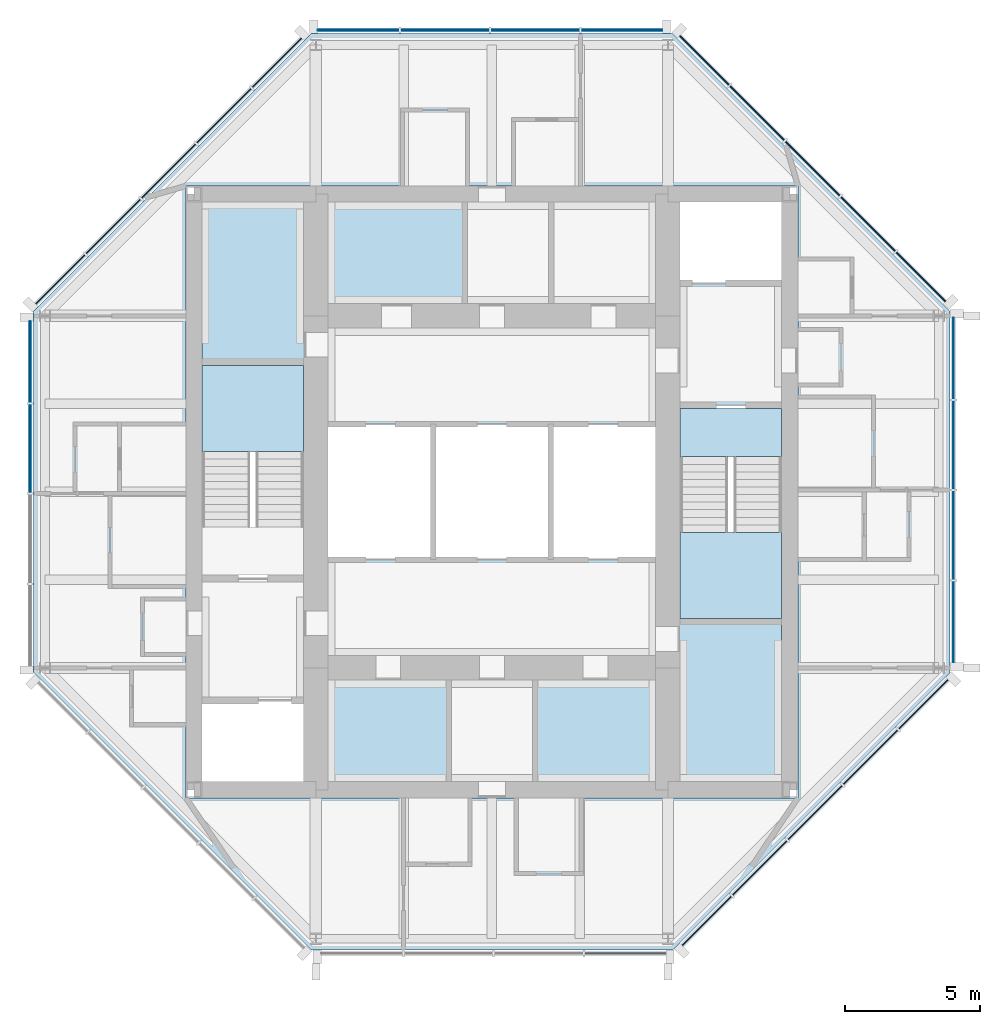
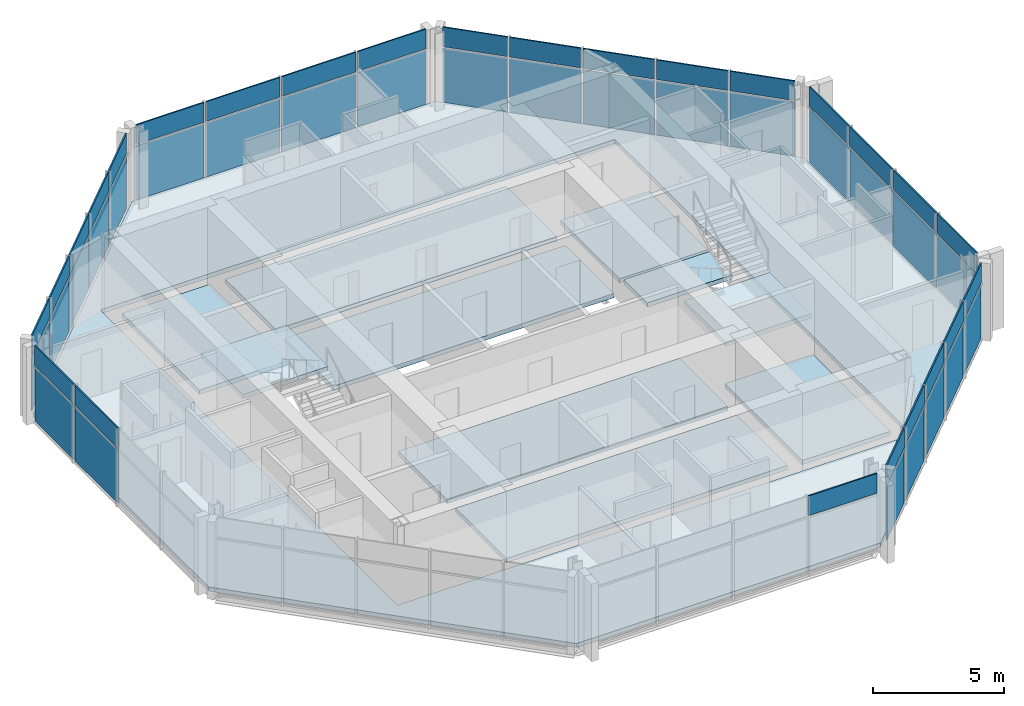
# One storey, part 4 of 9: 51 plates, 11 slabs, 9 elements without a shape of their own.
"""IFC4 building model written with IfcOpenShell, lengths in metres."""

import ifcopenshell
import ifcopenshell.guid

model = None  # the IFC model being written
_history = None  # IfcOwnerHistory: only IFC2X3 demands one
_inside = {}  # id of a spatial element -> (the spatial element, [elements in it])
_under = {}  # id of a project, library or spatial element -> (it, [spatial elements below it])
_declared = {}  # id of a project -> (the project, [libraries it declares])
_typed = {}  # id of a type object -> (the type object, [elements of that type])
_made_of = {}  # id of a material, layer set ... -> (it, [elements and type objects made of it])


def new_model(schema):
    """Start an empty IFC model of exactly this schema.

    Asked for "IFC4X3", IfcOpenShell would pick the latest addendum, in which some entities
    have other attributes; the version numbers below select the first issue.
    IFC2X3 requires an IfcOwnerHistory on every rooted entity: one is made here for all.
    """
    global model, _history
    if schema == "IFC4X3":
        model = ifcopenshell.file(schema_version=(4, 3, 0, 0))
    else:
        model = ifcopenshell.file(schema=schema)
    _inside.clear()
    _under.clear()
    _declared.clear()
    _typed.clear()
    _made_of.clear()
    _history = None
    if model.schema == "IFC2X3":
        org = make("IfcOrganization", Name="unknown")
        user = make(
            "IfcPersonAndOrganization",
            ThePerson=make("IfcPerson", FamilyName="unknown"),
            TheOrganization=org,
        )
        app = make(
            "IfcApplication",
            ApplicationDeveloper=org,
            Version="unknown",
            ApplicationFullName="unknown",
            ApplicationIdentifier="unknown",
        )
        _history = make(
            "IfcOwnerHistory",
            OwningUser=user,
            OwningApplication=app,
            ChangeAction="ADDED",
            CreationDate=0,
        )
    return model


def make(cls, **values):
    """One entity of the class cls with the attributes given. An attribute that is None is left unset."""
    return model.create_entity(
        cls, **{name: value for name, value in values.items() if value is not None}
    )


def rooted(cls, **values):
    """An entity with a GlobalId (a new one), such as an element, a storey or a relation."""
    return make(cls, GlobalId=ifcopenshell.guid.new(), OwnerHistory=_history, **values)


def si_unit(unit_type, name, prefix=None):
    """IfcSIUnit, for example si_unit("LENGTHUNIT", "METRE", prefix="MILLI")."""
    return make("IfcSIUnit", UnitType=unit_type, Prefix=prefix, Name=name)


def assignment(units):
    """IfcUnitAssignment: the units of a project."""
    return None if units is None else make("IfcUnitAssignment", Units=units)


def point(xyz):
    """IfcCartesianPoint."""
    return None if xyz is None else make("IfcCartesianPoint", Coordinates=xyz)


def direction(xyz):
    """IfcDirection."""
    return None if xyz is None else make("IfcDirection", DirectionRatios=xyz)


def frame(location, z_axis=None, x_axis=None):
    """IfcAxis2Placement3D, a coordinate frame: its origin and axes. An axis left out is left unset."""
    return make(
        "IfcAxis2Placement3D",
        Location=point(location),
        Axis=direction(z_axis),
        RefDirection=direction(x_axis),
    )


def frame_2d(location, x_axis=None):
    """IfcAxis2Placement2D, a coordinate frame in the plane: its origin and x axis."""
    return make(
        "IfcAxis2Placement2D", Location=point(location), RefDirection=direction(x_axis)
    )


def origin():
    """The frame at (0, 0, 0) with its axes left unset."""
    return frame((0.0, 0.0, 0.0))


def origin_2d():
    """The frame at (0, 0) in the plane with its x axis left unset."""
    return frame_2d((0.0, 0.0))


def place(relative_to, where):
    """IfcLocalPlacement: puts the frame where relative to a parent placement (None: the world)."""
    return make(
        "IfcLocalPlacement", PlacementRelTo=relative_to, RelativePlacement=where
    )


def context(
    kind, dimensions, precision=None, world=None, true_north=None, identifier=None
):
    """IfcGeometricRepresentationContext, for example the 3D "Model" context."""
    return make(
        "IfcGeometricRepresentationContext",
        ContextIdentifier=identifier,
        ContextType=kind,
        CoordinateSpaceDimension=dimensions,
        Precision=precision,
        WorldCoordinateSystem=world,
        TrueNorth=true_north,
    )


def subcontext(parent, identifier, kind, view, scale=None):
    """IfcGeometricRepresentationSubContext, for example "Body" below "Model"."""
    return make(
        "IfcGeometricRepresentationSubContext",
        ContextIdentifier=identifier,
        ContextType=kind,
        ParentContext=parent,
        TargetScale=scale,
        TargetView=view,
    )


def project(units=None, contexts=None):
    """IfcProject with its units and contexts."""
    return rooted(
        "IfcProject",
        Name="project",
        RepresentationContexts=contexts,
        UnitsInContext=assignment(units),
    )


def spatial(cls, under=None, at=None, **own):
    """A site, building, storey or space (cls), placed at a placement, below another one or the project."""
    s = rooted(cls, ObjectPlacement=at, **own)
    if under is not None:
        _under.setdefault(under.id(), (under, []))[1].append(s)
    return s


def polyline(points):
    """IfcPolyline through the points."""
    return make("IfcPolyline", Points=[point(p) for p in points])


def profile(cls, at=None, kind="AREA", **sizes):
    """A parametric profile (cls). Its sizes go by their IFC names, for example OverallWidth=200.0."""
    return make(cls, ProfileType=kind, Position=at, **sizes)


def rectangle(**sizes):
    """IfcRectangleProfileDef."""
    return profile("IfcRectangleProfileDef", **sizes)


def outline(outer, holes=None, kind="AREA"):
    """IfcArbitraryClosedProfileDef: a profile drawn as a closed curve; with holes, ...WithVoids."""
    if holes is None:
        return make("IfcArbitraryClosedProfileDef", ProfileType=kind, OuterCurve=outer)
    return make(
        "IfcArbitraryProfileDefWithVoids",
        ProfileType=kind,
        OuterCurve=outer,
        InnerCurves=holes,
    )


def extrude(swept, where, along, depth):
    """IfcExtrudedAreaSolid: the profile swept, set in the frame where, extruded along a direction by depth."""
    return make(
        "IfcExtrudedAreaSolid",
        SweptArea=swept,
        Position=where,
        ExtrudedDirection=direction(along),
        Depth=depth,
    )


def shape(context_of_items, identifier, shape_type, items):
    """IfcShapeRepresentation: the items that make up one representation, for example the "Body"."""
    return make(
        "IfcShapeRepresentation",
        ContextOfItems=context_of_items,
        RepresentationIdentifier=identifier,
        RepresentationType=shape_type,
        Items=items,
    )


def material(Name=None, Category=None):
    """IfcMaterial."""
    return make("IfcMaterial", Name=Name, Category=Category)


def layer(
    of_material, thickness, ventilated=None, Name=None, Category=None, Priority=None
):
    """IfcMaterialLayer: one layer of a wall or slab, of a material (None: an air gap)."""
    return make(
        "IfcMaterialLayer",
        Material=of_material,
        LayerThickness=thickness,
        IsVentilated=ventilated,
        Name=Name,
        Category=Category,
        Priority=Priority,
    )


def layer_set(layers, Name=None):
    """IfcMaterialLayerSet."""
    return make("IfcMaterialLayerSet", MaterialLayers=layers, LayerSetName=Name)


def made_of(thing, what):
    """Note that an element or type object is made of a material, layer set ...; save() writes the relation."""
    if what is not None:
        _made_of.setdefault(what.id(), (what, []))[1].append(thing)
    return thing


def type_object(cls, material=None, **own):
    """A type object (cls), such as IfcWallType, which elements share."""
    return made_of(rooted(cls, **own), material)


def element(
    cls,
    number,
    at=None,
    inside=None,
    cuts=None,
    type_object=None,
    material=None,
    context=None,
    identifier="Body",
    shape_type=None,
    held_by="IfcProductDefinitionShape",
    body=None,
    shapes=None,
    **own,
):
    """One element of the class cls, such as IfcWall. Its Tag is "e" and its number.

    at: its placement. inside: the storey or other place that contains it. cuts: it is an
    opening in that element (IfcRelVoidsElement). A single representation is given by context,
    identifier, shape_type and body (its items); several are given by shapes. held_by: the class
    of the entity that holds the representations. save() writes the other relations.
    """
    e = rooted(cls, Tag="e%d" % number, ObjectPlacement=at, **own)
    if body is not None:
        shapes = [shape(context, identifier, shape_type, body)]
    if shapes is not None:
        e.Representation = make(held_by, Representations=shapes)
    if inside is not None:
        _inside.setdefault(inside.id(), (inside, []))[1].append(e)
    if cuts is not None:
        rooted(
            "IfcRelVoidsElement", RelatingBuildingElement=cuts, RelatedOpeningElement=e
        )
    if type_object is not None:
        _typed.setdefault(type_object.id(), (type_object, []))[1].append(e)
    return made_of(e, material)


def aggregate(whole, parts):
    """IfcRelAggregates: a whole, such as a stair, and the parts it consists of."""
    return rooted("IfcRelAggregates", RelatingObject=whole, RelatedObjects=parts)


def save(model, path):
    """Write the relations noted so far, then the file.

    IfcRelAggregates (storeys below a building ...), IfcRelContainedInSpatialStructure (elements
    in a storey), IfcRelDefinesByType, IfcRelAssociatesMaterial and IfcRelDeclares: one each for
    every whole, place, type object, material and project.
    """
    for whole, parts in _under.values():
        aggregate(whole, parts)
    for where, things in _inside.values():
        rooted(
            "IfcRelContainedInSpatialStructure",
            RelatedElements=things,
            RelatingStructure=where,
        )
    for kind, things in _typed.values():
        rooted("IfcRelDefinesByType", RelatedObjects=things, RelatingType=kind)
    for what, things in _made_of.values():
        rooted("IfcRelAssociatesMaterial", RelatedObjects=things, RelatingMaterial=what)
    for by, libraries in _declared.values():
        rooted("IfcRelDeclares", RelatingContext=by, RelatedDefinitions=libraries)
    model.write(path)


model = new_model("IFC4")

# Units and contexts
model_context = context("Model", 3, precision=1e-05, world=origin(), true_north=direction((0.0, 1.0)))
body_context = subcontext(model_context, "Body", "Model", "MODEL_VIEW")
ifc_project = project(units=[si_unit("LENGTHUNIT", "METRE"), si_unit("AREAUNIT", "SQUARE_METRE"), si_unit("VOLUMEUNIT", "CUBIC_METRE"), si_unit("PLANEANGLEUNIT", "RADIAN"), si_unit("MASSUNIT", "GRAM", prefix="KILO")], contexts=[model_context])

# Site, building, storey
site_placement = place(None, origin())
site = spatial("IfcSite", under=ifc_project, at=site_placement, CompositionType="ELEMENT")
building_placement = place(site_placement, origin())
building = spatial("IfcBuilding", under=site, at=building_placement, Name="Trevanion Tower", CompositionType="ELEMENT")
storey_placement = place(building_placement, frame((0.0, 0.0, 281.199951171875)))
storey = spatial("IfcBuildingStorey", under=building, at=storey_placement, Name="L69", CompositionType="ELEMENT", Elevation=281.199951171875)

# Curtain wall, plates
ifc_material_1 = material(Name="Aluminium and glass", Category="aluminium")
curtain_wall_type = type_object("IfcCurtainWallType", Name="CW4 curtain wall", PredefinedType="USERDEFINED", material=ifc_material_1)
curtain_wall_1_placement = place(storey_placement, origin())
curtain_wall_1 = element("IfcCurtainWall", 1, at=curtain_wall_1_placement, inside=storey, type_object=curtain_wall_type, Name="CW4 L69 0", ObjectType="UNITISED CURTAIN WALL", PredefinedType="USERDEFINED")
ifc_material_2 = material(Name="Aluminium spandrel panel", Category="aluminium")
ifc_layer_1 = layer(ifc_material_2, 0.06005859375)
ifc_layer_set_1 = layer_set([ifc_layer_1], Name="CW4 spandrel panel")
plate_type_1 = type_object("IfcPlateType", Name="CW4 spandrel panel", PredefinedType="CURTAIN_PANEL", material=ifc_layer_set_1)
plate_1_placement = place(storey_placement, frame((17.050048828125, -4.80078125, 2.49755859375), z_axis=(0.0, 0.0, 1.0), x_axis=(0.0, 1.0, 0.0)))
plate_1 = element("IfcPlate", 2, at=plate_1_placement, type_object=plate_type_1, Name="CW4 panel 1.2", PredefinedType="CURTAIN_PANEL", context=body_context, shape_type="SweptSolid", body=[
    extrude(rectangle(XDim=2.993896484375, YDim=0.06005859375, at=origin_2d()), origin(), (0.0, 0.0, 1.0), 0.91259765625),
])
plate_2_placement = place(storey_placement, frame((17.050048828125, -1.6005859375, 2.49755859375), z_axis=(0.0, 0.0, 1.0), x_axis=(0.0, 1.0, 0.0)))
plate_2 = element("IfcPlate", 3, at=plate_2_placement, type_object=plate_type_1, Name="CW4 panel 2.2", PredefinedType="CURTAIN_PANEL", context=body_context, shape_type="SweptSolid", body=[
    extrude(rectangle(XDim=3.25634765625, YDim=0.06005859375, at=origin_2d()), origin(), (0.0, 0.0, 1.0), 0.91259765625),
])
plate_3_placement = place(storey_placement, frame((17.050048828125, 1.730712890625, 2.49755859375), z_axis=(0.0, 0.0, 1.0), x_axis=(0.0, 1.0, 0.0)))
plate_3 = element("IfcPlate", 4, at=plate_3_placement, type_object=plate_type_1, Name="CW4 panel 3.2", PredefinedType="CURTAIN_PANEL", context=body_context, shape_type="SweptSolid", body=[
    extrude(rectangle(XDim=3.25634765625, YDim=0.06005859375, at=origin_2d()), origin(), (0.0, 0.0, 1.0), 0.91259765625),
])
plate_4_placement = place(storey_placement, frame((17.050048828125, 4.930908203125, 2.49755859375), z_axis=(0.0, 0.0, 1.0), x_axis=(0.0, 1.0, 0.0)))
plate_4 = element("IfcPlate", 5, at=plate_4_placement, type_object=plate_type_1, Name="CW4 panel 4.2", PredefinedType="CURTAIN_PANEL", context=body_context, shape_type="SweptSolid", body=[
    extrude(rectangle(XDim=2.993896484375, YDim=0.06005859375, at=origin_2d()), origin(), (0.0, 0.0, 1.0), 0.91259765625),
])

curtain_wall_2_placement = place(storey_placement, origin())
curtain_wall_2 = element("IfcCurtainWall", 6, at=curtain_wall_2_placement, inside=storey, type_object=curtain_wall_type, Name="CW4 L69 1", ObjectType="UNITISED CURTAIN WALL", PredefinedType="USERDEFINED")
plate_5_placement = place(storey_placement, frame((15.84228515625, 7.935546875, 2.49755859375), z_axis=(0.0, 0.0, 1.0), x_axis=(-0.707106781187, 0.707106781187, 0.0)))
plate_5 = element("IfcPlate", 7, at=plate_5_placement, type_object=plate_type_1, Name="CW4 panel 1.2", PredefinedType="CURTAIN_PANEL", context=body_context, shape_type="SweptSolid", body=[
    extrude(rectangle(XDim=2.55615234375, YDim=0.06005859375, at=origin_2d()), origin(), (0.0, 0.0, 1.0), 0.91259765625),
])
plate_6_placement = place(storey_placement, frame((13.888916015625, 9.888916015625, 2.49755859375), z_axis=(0.0, 0.0, 1.0), x_axis=(-0.707106781187, 0.707106781187, 0.0)))
plate_6 = element("IfcPlate", 8, at=plate_6_placement, type_object=plate_type_1, Name="CW4 panel 2.2", PredefinedType="CURTAIN_PANEL", context=body_context, shape_type="SweptSolid", body=[
    extrude(rectangle(XDim=2.818603515625, YDim=0.06005859375, at=origin_2d()), origin(), (0.0, 0.0, 1.0), 0.91259765625),
])
plate_7_placement = place(storey_placement, frame((11.843017578125, 11.934814453125, 2.49755859375), z_axis=(0.0, 0.0, 1.0), x_axis=(-0.707106781187, 0.707106781187, 0.0)))
plate_7 = element("IfcPlate", 9, at=plate_7_placement, type_object=plate_type_1, Name="CW4 panel 3.2", PredefinedType="CURTAIN_PANEL", context=body_context, shape_type="SweptSolid", body=[
    extrude(rectangle(XDim=2.818603515625, YDim=0.06005859375, at=origin_2d()), origin(), (0.0, 0.0, 1.0), 0.91259765625),
])
plate_8_placement = place(storey_placement, frame((9.796875, 13.98095703125, 2.49755859375), z_axis=(0.0, 0.0, 1.0), x_axis=(-0.707106781187, 0.707106781187, 0.0)))
plate_8 = element("IfcPlate", 10, at=plate_8_placement, type_object=plate_type_1, Name="CW4 panel 4.2", PredefinedType="CURTAIN_PANEL", context=body_context, shape_type="SweptSolid", body=[
    extrude(rectangle(XDim=2.818603515625, YDim=0.06005859375, at=origin_2d()), origin(), (0.0, 0.0, 1.0), 0.91259765625),
])
plate_9_placement = place(storey_placement, frame((7.84375, 15.93408203125, 2.49755859375), z_axis=(0.0, 0.0, 1.0), x_axis=(-0.707106781187, 0.707106781187, 0.0)))
plate_9 = element("IfcPlate", 11, at=plate_9_placement, type_object=plate_type_1, Name="CW4 panel 5.2", PredefinedType="CURTAIN_PANEL", context=body_context, shape_type="SweptSolid", body=[
    extrude(rectangle(XDim=2.55615234375, YDim=0.06005859375, at=origin_2d()), origin(), (0.0, 0.0, 1.0), 0.91259765625),
])

curtain_wall_3_placement = place(storey_placement, origin())
curtain_wall_3 = element("IfcCurtainWall", 12, at=curtain_wall_3_placement, inside=storey, type_object=curtain_wall_type, Name="CW4 L69 2", ObjectType="UNITISED CURTAIN WALL", PredefinedType="USERDEFINED")
plate_10_placement = place(storey_placement, frame((4.80078125, 17.050048828125, 2.49755859375), z_axis=(0.0, 0.0, 1.0), x_axis=(-1.0, 0.0, 0.0)))
plate_10 = element("IfcPlate", 13, at=plate_10_placement, type_object=plate_type_1, Name="CW4 panel 1.2", PredefinedType="CURTAIN_PANEL", context=body_context, shape_type="SweptSolid", body=[
    extrude(rectangle(XDim=2.993896484375, YDim=0.06005859375, at=origin_2d()), origin(), (0.0, 0.0, 1.0), 0.91259765625),
])
plate_11_placement = place(storey_placement, frame((1.6005859375, 17.050048828125, 2.49755859375), z_axis=(0.0, 0.0, 1.0), x_axis=(-1.0, 0.0, 0.0)))
plate_11 = element("IfcPlate", 14, at=plate_11_placement, type_object=plate_type_1, Name="CW4 panel 2.2", PredefinedType="CURTAIN_PANEL", context=body_context, shape_type="SweptSolid", body=[
    extrude(rectangle(XDim=3.25634765625, YDim=0.06005859375, at=origin_2d()), origin(), (0.0, 0.0, 1.0), 0.91259765625),
])
plate_12_placement = place(storey_placement, frame((-1.730712890625, 17.050048828125, 2.49755859375), z_axis=(0.0, 0.0, 1.0), x_axis=(-1.0, 0.0, 0.0)))
plate_12 = element("IfcPlate", 15, at=plate_12_placement, type_object=plate_type_1, Name="CW4 panel 3.2", PredefinedType="CURTAIN_PANEL", context=body_context, shape_type="SweptSolid", body=[
    extrude(rectangle(XDim=3.25634765625, YDim=0.06005859375, at=origin_2d()), origin(), (0.0, 0.0, 1.0), 0.91259765625),
])
plate_13_placement = place(storey_placement, frame((-4.930908203125, 17.050048828125, 2.49755859375), z_axis=(0.0, 0.0, 1.0), x_axis=(-1.0, 0.0, 0.0)))
plate_13 = element("IfcPlate", 16, at=plate_13_placement, type_object=plate_type_1, Name="CW4 panel 4.2", PredefinedType="CURTAIN_PANEL", context=body_context, shape_type="SweptSolid", body=[
    extrude(rectangle(XDim=2.993896484375, YDim=0.06005859375, at=origin_2d()), origin(), (0.0, 0.0, 1.0), 0.91259765625),
])

curtain_wall_4_placement = place(storey_placement, origin())
curtain_wall_4 = element("IfcCurtainWall", 17, at=curtain_wall_4_placement, inside=storey, type_object=curtain_wall_type, Name="CW4 L69 3", ObjectType="UNITISED CURTAIN WALL", PredefinedType="USERDEFINED")
plate_14_placement = place(storey_placement, frame((-7.935546875, 15.84228515625, 2.49755859375), z_axis=(0.0, 0.0, 1.0), x_axis=(-0.707106781187, -0.707106781187, 0.0)))
plate_14 = element("IfcPlate", 18, at=plate_14_placement, type_object=plate_type_1, Name="CW4 panel 1.2", PredefinedType="CURTAIN_PANEL", context=body_context, shape_type="SweptSolid", body=[
    extrude(rectangle(XDim=2.55615234375, YDim=0.06005859375, at=origin_2d()), origin(), (0.0, 0.0, 1.0), 0.91259765625),
])
plate_15_placement = place(storey_placement, frame((-9.888916015625, 13.888916015625, 2.49755859375), z_axis=(0.0, 0.0, 1.0), x_axis=(-0.707106781187, -0.707106781187, 0.0)))
plate_15 = element("IfcPlate", 19, at=plate_15_placement, type_object=plate_type_1, Name="CW4 panel 2.2", PredefinedType="CURTAIN_PANEL", context=body_context, shape_type="SweptSolid", body=[
    extrude(rectangle(XDim=2.818603515625, YDim=0.06005859375, at=origin_2d()), origin(), (0.0, 0.0, 1.0), 0.91259765625),
])
plate_16_placement = place(storey_placement, frame((-11.934814453125, 11.843017578125, 2.49755859375), z_axis=(0.0, 0.0, 1.0), x_axis=(-0.707106781187, -0.707106781187, 0.0)))
plate_16 = element("IfcPlate", 20, at=plate_16_placement, type_object=plate_type_1, Name="CW4 panel 3.2", PredefinedType="CURTAIN_PANEL", context=body_context, shape_type="SweptSolid", body=[
    extrude(rectangle(XDim=2.818603515625, YDim=0.06005859375, at=origin_2d()), origin(), (0.0, 0.0, 1.0), 0.91259765625),
])
plate_17_placement = place(storey_placement, frame((-13.98095703125, 9.796875, 2.49755859375), z_axis=(0.0, 0.0, 1.0), x_axis=(-0.707106781187, -0.707106781187, 0.0)))
plate_17 = element("IfcPlate", 21, at=plate_17_placement, type_object=plate_type_1, Name="CW4 panel 4.2", PredefinedType="CURTAIN_PANEL", context=body_context, shape_type="SweptSolid", body=[
    extrude(rectangle(XDim=2.818603515625, YDim=0.06005859375, at=origin_2d()), origin(), (0.0, 0.0, 1.0), 0.91259765625),
])
plate_18_placement = place(storey_placement, frame((-15.93408203125, 7.84375, 2.49755859375), z_axis=(0.0, 0.0, 1.0), x_axis=(-0.707106781187, -0.707106781187, 0.0)))
plate_18 = element("IfcPlate", 22, at=plate_18_placement, type_object=plate_type_1, Name="CW4 panel 5.2", PredefinedType="CURTAIN_PANEL", context=body_context, shape_type="SweptSolid", body=[
    extrude(rectangle(XDim=2.55615234375, YDim=0.06005859375, at=origin_2d()), origin(), (0.0, 0.0, 1.0), 0.91259765625),
])

curtain_wall_5_placement = place(storey_placement, origin())
curtain_wall_5 = element("IfcCurtainWall", 23, at=curtain_wall_5_placement, inside=storey, type_object=curtain_wall_type, Name="CW4 L69 4", ObjectType="UNITISED CURTAIN WALL", PredefinedType="USERDEFINED")
plate_19_placement = place(storey_placement, frame((-17.050048828125, 4.80078125, 2.49755859375), z_axis=(0.0, 0.0, 1.0), x_axis=(0.0, -1.0, 0.0)))
plate_19 = element("IfcPlate", 24, at=plate_19_placement, type_object=plate_type_1, Name="CW4 panel 1.2", PredefinedType="CURTAIN_PANEL", context=body_context, shape_type="SweptSolid", body=[
    extrude(rectangle(XDim=2.993896484375, YDim=0.06005859375, at=origin_2d()), origin(), (0.0, 0.0, 1.0), 0.91259765625),
])
plate_20_placement = place(storey_placement, frame((-17.050048828125, 1.6005859375, 2.49755859375), z_axis=(0.0, 0.0, 1.0), x_axis=(0.0, -1.0, 0.0)))
plate_20 = element("IfcPlate", 25, at=plate_20_placement, type_object=plate_type_1, Name="CW4 panel 2.2", PredefinedType="CURTAIN_PANEL", context=body_context, shape_type="SweptSolid", body=[
    extrude(rectangle(XDim=3.25634765625, YDim=0.06005859375, at=origin_2d()), origin(), (0.0, 0.0, 1.0), 0.91259765625),
])

# Curtain wall, plate
curtain_wall_6_placement = place(storey_placement, origin())
curtain_wall_6 = element("IfcCurtainWall", 26, at=curtain_wall_6_placement, inside=storey, type_object=curtain_wall_type, Name="CW4 L69 6", ObjectType="UNITISED CURTAIN WALL", PredefinedType="USERDEFINED")
plate_21_placement = place(storey_placement, frame((4.930908203125, -17.050048828125, 2.49755859375), z_axis=(0.0, 0.0, 1.0), x_axis=(1.0, 0.0, 0.0)))
plate_21 = element("IfcPlate", 27, at=plate_21_placement, type_object=plate_type_1, Name="CW4 panel 4.2", PredefinedType="CURTAIN_PANEL", context=body_context, shape_type="SweptSolid", body=[
    extrude(rectangle(XDim=2.993896484375, YDim=0.06005859375, at=origin_2d()), origin(), (0.0, 0.0, 1.0), 0.91259765625),
])
aggregate(curtain_wall_6, [plate_21])

# Curtain wall, plates
curtain_wall_7_placement = place(storey_placement, origin())
curtain_wall_7 = element("IfcCurtainWall", 28, at=curtain_wall_7_placement, inside=storey, type_object=curtain_wall_type, Name="CW4 L69 7", ObjectType="UNITISED CURTAIN WALL", PredefinedType="USERDEFINED")
plate_22_placement = place(storey_placement, frame((7.935546875, -15.84228515625, 2.49755859375), z_axis=(0.0, 0.0, 1.0), x_axis=(0.707106781187, 0.707106781187, 0.0)))
plate_22 = element("IfcPlate", 29, at=plate_22_placement, type_object=plate_type_1, Name="CW4 panel 1.2", PredefinedType="CURTAIN_PANEL", context=body_context, shape_type="SweptSolid", body=[
    extrude(rectangle(XDim=2.55615234375, YDim=0.06005859375, at=origin_2d()), origin(), (0.0, 0.0, 1.0), 0.91259765625),
])
plate_23_placement = place(storey_placement, frame((9.888916015625, -13.888916015625, 2.49755859375), z_axis=(0.0, 0.0, 1.0), x_axis=(0.707106781187, 0.707106781187, 0.0)))
plate_23 = element("IfcPlate", 30, at=plate_23_placement, type_object=plate_type_1, Name="CW4 panel 2.2", PredefinedType="CURTAIN_PANEL", context=body_context, shape_type="SweptSolid", body=[
    extrude(rectangle(XDim=2.818603515625, YDim=0.06005859375, at=origin_2d()), origin(), (0.0, 0.0, 1.0), 0.91259765625),
])
plate_24_placement = place(storey_placement, frame((11.934814453125, -11.843017578125, 2.49755859375), z_axis=(0.0, 0.0, 1.0), x_axis=(0.707106781187, 0.707106781187, 0.0)))
plate_24 = element("IfcPlate", 31, at=plate_24_placement, type_object=plate_type_1, Name="CW4 panel 3.2", PredefinedType="CURTAIN_PANEL", context=body_context, shape_type="SweptSolid", body=[
    extrude(rectangle(XDim=2.818603515625, YDim=0.06005859375, at=origin_2d()), origin(), (0.0, 0.0, 1.0), 0.91259765625),
])
plate_25_placement = place(storey_placement, frame((13.98095703125, -9.796875, 2.49755859375), z_axis=(0.0, 0.0, 1.0), x_axis=(0.707106781187, 0.707106781187, 0.0)))
plate_25 = element("IfcPlate", 32, at=plate_25_placement, type_object=plate_type_1, Name="CW4 panel 4.2", PredefinedType="CURTAIN_PANEL", context=body_context, shape_type="SweptSolid", body=[
    extrude(rectangle(XDim=2.818603515625, YDim=0.06005859375, at=origin_2d()), origin(), (0.0, 0.0, 1.0), 0.91259765625),
])
plate_26_placement = place(storey_placement, frame((15.93408203125, -7.84375, 2.49755859375), z_axis=(0.0, 0.0, 1.0), x_axis=(0.707106781187, 0.707106781187, 0.0)))
plate_26 = element("IfcPlate", 33, at=plate_26_placement, type_object=plate_type_1, Name="CW4 panel 5.2", PredefinedType="CURTAIN_PANEL", context=body_context, shape_type="SweptSolid", body=[
    extrude(rectangle(XDim=2.55615234375, YDim=0.06005859375, at=origin_2d()), origin(), (0.0, 0.0, 1.0), 0.91259765625),
])

# Plate
ifc_material_3 = material(Name="Insulating glass unit", Category="glass")
ifc_layer_2 = layer(ifc_material_3, 0.028076171875)
ifc_layer_set_2 = layer_set([ifc_layer_2], Name="CW4 vision panel")
plate_type_2 = type_object("IfcPlateType", Name="CW4 vision panel", PredefinedType="CURTAIN_PANEL", material=ifc_layer_set_2)
plate_27_placement = place(storey_placement, frame((17.050048828125, -4.80078125, -0.114990234375), z_axis=(0.0, 0.0, 1.0), x_axis=(0.0, 1.0, 0.0)))
plate_27 = element("IfcPlate", 34, at=plate_27_placement, type_object=plate_type_2, Name="CW4 panel 1.1", PredefinedType="CURTAIN_PANEL", context=body_context, shape_type="SweptSolid", body=[
    extrude(rectangle(XDim=2.993896484375, YDim=0.028076171875, at=origin_2d()), origin(), (0.0, 0.0, 1.0), 2.53759765625),
])

plate_28_placement = place(storey_placement, frame((17.050048828125, -1.6005859375, -0.114990234375), z_axis=(0.0, 0.0, 1.0), x_axis=(0.0, 1.0, 0.0)))
plate_28 = element("IfcPlate", 35, at=plate_28_placement, type_object=plate_type_2, Name="CW4 panel 2.1", PredefinedType="CURTAIN_PANEL", context=body_context, shape_type="SweptSolid", body=[
    extrude(rectangle(XDim=3.25634765625, YDim=0.028076171875, at=origin_2d()), origin(), (0.0, 0.0, 1.0), 2.53759765625),
])

plate_29_placement = place(storey_placement, frame((17.050048828125, 1.730712890625, -0.114990234375), z_axis=(0.0, 0.0, 1.0), x_axis=(0.0, 1.0, 0.0)))
plate_29 = element("IfcPlate", 36, at=plate_29_placement, type_object=plate_type_2, Name="CW4 panel 3.1", PredefinedType="CURTAIN_PANEL", context=body_context, shape_type="SweptSolid", body=[
    extrude(rectangle(XDim=3.25634765625, YDim=0.028076171875, at=origin_2d()), origin(), (0.0, 0.0, 1.0), 2.53759765625),
])

plate_30_placement = place(storey_placement, frame((17.050048828125, 4.930908203125, -0.114990234375), z_axis=(0.0, 0.0, 1.0), x_axis=(0.0, 1.0, 0.0)))
plate_30 = element("IfcPlate", 37, at=plate_30_placement, type_object=plate_type_2, Name="CW4 panel 4.1", PredefinedType="CURTAIN_PANEL", context=body_context, shape_type="SweptSolid", body=[
    extrude(rectangle(XDim=2.993896484375, YDim=0.028076171875, at=origin_2d()), origin(), (0.0, 0.0, 1.0), 2.53759765625),
])

aggregate(curtain_wall_1, [plate_27, plate_1, plate_28, plate_2, plate_29, plate_3, plate_30, plate_4])

plate_31_placement = place(storey_placement, frame((15.84228515625, 7.935546875, -0.114990234375), z_axis=(0.0, 0.0, 1.0), x_axis=(-0.707106781187, 0.707106781187, 0.0)))
plate_31 = element("IfcPlate", 38, at=plate_31_placement, type_object=plate_type_2, Name="CW4 panel 1.1", PredefinedType="CURTAIN_PANEL", context=body_context, shape_type="SweptSolid", body=[
    extrude(rectangle(XDim=2.55615234375, YDim=0.028076171875, at=origin_2d()), origin(), (0.0, 0.0, 1.0), 2.53759765625),
])

plate_32_placement = place(storey_placement, frame((13.888916015625, 9.888916015625, -0.114990234375), z_axis=(0.0, 0.0, 1.0), x_axis=(-0.707106781187, 0.707106781187, 0.0)))
plate_32 = element("IfcPlate", 39, at=plate_32_placement, type_object=plate_type_2, Name="CW4 panel 2.1", PredefinedType="CURTAIN_PANEL", context=body_context, shape_type="SweptSolid", body=[
    extrude(rectangle(XDim=2.818603515625, YDim=0.028076171875, at=origin_2d()), origin(), (0.0, 0.0, 1.0), 2.53759765625),
])

plate_33_placement = place(storey_placement, frame((11.843017578125, 11.934814453125, -0.114990234375), z_axis=(0.0, 0.0, 1.0), x_axis=(-0.707106781187, 0.707106781187, 0.0)))
plate_33 = element("IfcPlate", 40, at=plate_33_placement, type_object=plate_type_2, Name="CW4 panel 3.1", PredefinedType="CURTAIN_PANEL", context=body_context, shape_type="SweptSolid", body=[
    extrude(rectangle(XDim=2.818603515625, YDim=0.028076171875, at=origin_2d()), origin(), (0.0, 0.0, 1.0), 2.53759765625),
])

plate_34_placement = place(storey_placement, frame((9.796875, 13.98095703125, -0.114990234375), z_axis=(0.0, 0.0, 1.0), x_axis=(-0.707106781187, 0.707106781187, 0.0)))
plate_34 = element("IfcPlate", 41, at=plate_34_placement, type_object=plate_type_2, Name="CW4 panel 4.1", PredefinedType="CURTAIN_PANEL", context=body_context, shape_type="SweptSolid", body=[
    extrude(rectangle(XDim=2.818603515625, YDim=0.028076171875, at=origin_2d()), origin(), (0.0, 0.0, 1.0), 2.53759765625),
])

plate_35_placement = place(storey_placement, frame((7.84375, 15.93408203125, -0.114990234375), z_axis=(0.0, 0.0, 1.0), x_axis=(-0.707106781187, 0.707106781187, 0.0)))
plate_35 = element("IfcPlate", 42, at=plate_35_placement, type_object=plate_type_2, Name="CW4 panel 5.1", PredefinedType="CURTAIN_PANEL", context=body_context, shape_type="SweptSolid", body=[
    extrude(rectangle(XDim=2.55615234375, YDim=0.028076171875, at=origin_2d()), origin(), (0.0, 0.0, 1.0), 2.53759765625),
])

aggregate(curtain_wall_2, [plate_31, plate_5, plate_32, plate_6, plate_33, plate_7, plate_34, plate_8, plate_35, plate_9])

plate_36_placement = place(storey_placement, frame((4.80078125, 17.050048828125, -0.114990234375), z_axis=(0.0, 0.0, 1.0), x_axis=(-1.0, 0.0, 0.0)))
plate_36 = element("IfcPlate", 43, at=plate_36_placement, type_object=plate_type_2, Name="CW4 panel 1.1", PredefinedType="CURTAIN_PANEL", context=body_context, shape_type="SweptSolid", body=[
    extrude(rectangle(XDim=2.993896484375, YDim=0.028076171875, at=origin_2d()), origin(), (0.0, 0.0, 1.0), 2.53759765625),
])

plate_37_placement = place(storey_placement, frame((1.6005859375, 17.050048828125, -0.114990234375), z_axis=(0.0, 0.0, 1.0), x_axis=(-1.0, 0.0, 0.0)))
plate_37 = element("IfcPlate", 44, at=plate_37_placement, type_object=plate_type_2, Name="CW4 panel 2.1", PredefinedType="CURTAIN_PANEL", context=body_context, shape_type="SweptSolid", body=[
    extrude(rectangle(XDim=3.25634765625, YDim=0.028076171875, at=origin_2d()), origin(), (0.0, 0.0, 1.0), 2.53759765625),
])

plate_38_placement = place(storey_placement, frame((-1.730712890625, 17.050048828125, -0.114990234375), z_axis=(0.0, 0.0, 1.0), x_axis=(-1.0, 0.0, 0.0)))
plate_38 = element("IfcPlate", 45, at=plate_38_placement, type_object=plate_type_2, Name="CW4 panel 3.1", PredefinedType="CURTAIN_PANEL", context=body_context, shape_type="SweptSolid", body=[
    extrude(rectangle(XDim=3.25634765625, YDim=0.028076171875, at=origin_2d()), origin(), (0.0, 0.0, 1.0), 2.53759765625),
])

plate_39_placement = place(storey_placement, frame((-4.930908203125, 17.050048828125, -0.114990234375), z_axis=(0.0, 0.0, 1.0), x_axis=(-1.0, 0.0, 0.0)))
plate_39 = element("IfcPlate", 46, at=plate_39_placement, type_object=plate_type_2, Name="CW4 panel 4.1", PredefinedType="CURTAIN_PANEL", context=body_context, shape_type="SweptSolid", body=[
    extrude(rectangle(XDim=2.993896484375, YDim=0.028076171875, at=origin_2d()), origin(), (0.0, 0.0, 1.0), 2.53759765625),
])

aggregate(curtain_wall_3, [plate_36, plate_10, plate_37, plate_11, plate_38, plate_12, plate_39, plate_13])

plate_40_placement = place(storey_placement, frame((-7.935546875, 15.84228515625, -0.114990234375), z_axis=(0.0, 0.0, 1.0), x_axis=(-0.707106781187, -0.707106781187, 0.0)))
plate_40 = element("IfcPlate", 47, at=plate_40_placement, type_object=plate_type_2, Name="CW4 panel 1.1", PredefinedType="CURTAIN_PANEL", context=body_context, shape_type="SweptSolid", body=[
    extrude(rectangle(XDim=2.55615234375, YDim=0.028076171875, at=origin_2d()), origin(), (0.0, 0.0, 1.0), 2.53759765625),
])

plate_41_placement = place(storey_placement, frame((-9.888916015625, 13.888916015625, -0.114990234375), z_axis=(0.0, 0.0, 1.0), x_axis=(-0.707106781187, -0.707106781187, 0.0)))
plate_41 = element("IfcPlate", 48, at=plate_41_placement, type_object=plate_type_2, Name="CW4 panel 2.1", PredefinedType="CURTAIN_PANEL", context=body_context, shape_type="SweptSolid", body=[
    extrude(rectangle(XDim=2.818603515625, YDim=0.028076171875, at=origin_2d()), origin(), (0.0, 0.0, 1.0), 2.53759765625),
])

plate_42_placement = place(storey_placement, frame((-11.934814453125, 11.843017578125, -0.114990234375), z_axis=(0.0, 0.0, 1.0), x_axis=(-0.707106781187, -0.707106781187, 0.0)))
plate_42 = element("IfcPlate", 49, at=plate_42_placement, type_object=plate_type_2, Name="CW4 panel 3.1", PredefinedType="CURTAIN_PANEL", context=body_context, shape_type="SweptSolid", body=[
    extrude(rectangle(XDim=2.818603515625, YDim=0.028076171875, at=origin_2d()), origin(), (0.0, 0.0, 1.0), 2.53759765625),
])

plate_43_placement = place(storey_placement, frame((-13.98095703125, 9.796875, -0.114990234375), z_axis=(0.0, 0.0, 1.0), x_axis=(-0.707106781187, -0.707106781187, 0.0)))
plate_43 = element("IfcPlate", 50, at=plate_43_placement, type_object=plate_type_2, Name="CW4 panel 4.1", PredefinedType="CURTAIN_PANEL", context=body_context, shape_type="SweptSolid", body=[
    extrude(rectangle(XDim=2.818603515625, YDim=0.028076171875, at=origin_2d()), origin(), (0.0, 0.0, 1.0), 2.53759765625),
])

plate_44_placement = place(storey_placement, frame((-15.93408203125, 7.84375, -0.114990234375), z_axis=(0.0, 0.0, 1.0), x_axis=(-0.707106781187, -0.707106781187, 0.0)))
plate_44 = element("IfcPlate", 51, at=plate_44_placement, type_object=plate_type_2, Name="CW4 panel 5.1", PredefinedType="CURTAIN_PANEL", context=body_context, shape_type="SweptSolid", body=[
    extrude(rectangle(XDim=2.55615234375, YDim=0.028076171875, at=origin_2d()), origin(), (0.0, 0.0, 1.0), 2.53759765625),
])

aggregate(curtain_wall_4, [plate_40, plate_14, plate_41, plate_15, plate_42, plate_16, plate_43, plate_17, plate_44, plate_18])

plate_45_placement = place(storey_placement, frame((-17.050048828125, 4.80078125, -0.114990234375), z_axis=(0.0, 0.0, 1.0), x_axis=(0.0, -1.0, 0.0)))
plate_45 = element("IfcPlate", 52, at=plate_45_placement, type_object=plate_type_2, Name="CW4 panel 1.1", PredefinedType="CURTAIN_PANEL", context=body_context, shape_type="SweptSolid", body=[
    extrude(rectangle(XDim=2.993896484375, YDim=0.028076171875, at=origin_2d()), origin(), (0.0, 0.0, 1.0), 2.53759765625),
])

plate_46_placement = place(storey_placement, frame((-17.050048828125, 1.6005859375, -0.114990234375), z_axis=(0.0, 0.0, 1.0), x_axis=(0.0, -1.0, 0.0)))
plate_46 = element("IfcPlate", 53, at=plate_46_placement, type_object=plate_type_2, Name="CW4 panel 2.1", PredefinedType="CURTAIN_PANEL", context=body_context, shape_type="SweptSolid", body=[
    extrude(rectangle(XDim=3.25634765625, YDim=0.028076171875, at=origin_2d()), origin(), (0.0, 0.0, 1.0), 2.53759765625),
])

aggregate(curtain_wall_5, [plate_45, plate_19, plate_46, plate_20])

plate_47_placement = place(storey_placement, frame((7.935546875, -15.84228515625, -0.114990234375), z_axis=(0.0, 0.0, 1.0), x_axis=(0.707106781187, 0.707106781187, 0.0)))
plate_47 = element("IfcPlate", 54, at=plate_47_placement, type_object=plate_type_2, Name="CW4 panel 1.1", PredefinedType="CURTAIN_PANEL", context=body_context, shape_type="SweptSolid", body=[
    extrude(rectangle(XDim=2.55615234375, YDim=0.028076171875, at=origin_2d()), origin(), (0.0, 0.0, 1.0), 2.53759765625),
])

plate_48_placement = place(storey_placement, frame((9.888916015625, -13.888916015625, -0.114990234375), z_axis=(0.0, 0.0, 1.0), x_axis=(0.707106781187, 0.707106781187, 0.0)))
plate_48 = element("IfcPlate", 55, at=plate_48_placement, type_object=plate_type_2, Name="CW4 panel 2.1", PredefinedType="CURTAIN_PANEL", context=body_context, shape_type="SweptSolid", body=[
    extrude(rectangle(XDim=2.818603515625, YDim=0.028076171875, at=origin_2d()), origin(), (0.0, 0.0, 1.0), 2.53759765625),
])

plate_49_placement = place(storey_placement, frame((11.934814453125, -11.843017578125, -0.114990234375), z_axis=(0.0, 0.0, 1.0), x_axis=(0.707106781187, 0.707106781187, 0.0)))
plate_49 = element("IfcPlate", 56, at=plate_49_placement, type_object=plate_type_2, Name="CW4 panel 3.1", PredefinedType="CURTAIN_PANEL", context=body_context, shape_type="SweptSolid", body=[
    extrude(rectangle(XDim=2.818603515625, YDim=0.028076171875, at=origin_2d()), origin(), (0.0, 0.0, 1.0), 2.53759765625),
])

plate_50_placement = place(storey_placement, frame((13.98095703125, -9.796875, -0.114990234375), z_axis=(0.0, 0.0, 1.0), x_axis=(0.707106781187, 0.707106781187, 0.0)))
plate_50 = element("IfcPlate", 57, at=plate_50_placement, type_object=plate_type_2, Name="CW4 panel 4.1", PredefinedType="CURTAIN_PANEL", context=body_context, shape_type="SweptSolid", body=[
    extrude(rectangle(XDim=2.818603515625, YDim=0.028076171875, at=origin_2d()), origin(), (0.0, 0.0, 1.0), 2.53759765625),
])

plate_51_placement = place(storey_placement, frame((15.93408203125, -7.84375, -0.114990234375), z_axis=(0.0, 0.0, 1.0), x_axis=(0.707106781187, 0.707106781187, 0.0)))
plate_51 = element("IfcPlate", 58, at=plate_51_placement, type_object=plate_type_2, Name="CW4 panel 5.1", PredefinedType="CURTAIN_PANEL", context=body_context, shape_type="SweptSolid", body=[
    extrude(rectangle(XDim=2.55615234375, YDim=0.028076171875, at=origin_2d()), origin(), (0.0, 0.0, 1.0), 2.53759765625),
])

aggregate(curtain_wall_7, [plate_47, plate_22, plate_48, plate_23, plate_49, plate_24, plate_50, plate_25, plate_51, plate_26])

# Slabs
ifc_material_4 = material(Name="Concrete 5,000 psi on composite metal deck", Category="concrete")
ifc_layer_3 = layer(ifc_material_4, 0.18994140625)
ifc_layer_set_3 = layer_set([ifc_layer_3], Name="SL1 composite floor 190")
slab_type_1 = type_object("IfcSlabType", Name="SL1 composite floor 190", PredefinedType="FLOOR", material=ifc_layer_set_3)
slab_1_placement = place(storey_placement, frame((0.0, 0.0, -0.18994140625)))
element("IfcSlab", 59, at=slab_1_placement, inside=storey, type_object=slab_type_1, Name="SL1 L69 floor", PredefinedType="FLOOR", context=body_context, shape_type="SweptSolid", body=[
    extrude(outline(polyline([(16.919921875, -6.674072265625), (16.919921875, 6.674072265625), (6.674072265625, 16.919921875), (-6.674072265625, 16.919921875), (-16.919921875, 6.674072265625), (-16.919921875, -6.674072265625), (-6.674072265625, -16.919921875), (6.674072265625, -16.919921875), (16.919921875, -6.674072265625)]), holes=[polyline([(11.300048828125, -11.300048828125), (11.300048828125, 11.300048828125), (-11.300048828125, 11.300048828125), (-11.300048828125, -11.300048828125), (11.300048828125, -11.300048828125)])]), origin(), (0.0, 0.0, 1.0), 0.18994140625),
])
ifc_material_5 = material(Name="Concrete 5,000 psi", Category="concrete")
ifc_layer_4 = layer(ifc_material_5, 0.199951171875)
ifc_layer_set_4 = layer_set([ifc_layer_4], Name="SL2 core floor 200")
slab_type_2 = type_object("IfcSlabType", Name="SL2 core floor 200", PredefinedType="FLOOR", material=ifc_layer_set_4)
slab_2_placement = place(storey_placement, frame((0.0, 0.0, -0.199951171875)))
element("IfcSlab", 60, at=slab_2_placement, inside=storey, type_object=slab_type_2, Name="SL2 L69 core floor 1", PredefinedType="FLOOR", context=body_context, shape_type="SweptSolid", body=[
    extrude(outline(polyline([(6.169921875, -10.699951171875), (-6.169921875, -10.699951171875), (-6.169921875, -6.830078125), (6.169921875, -6.830078125), (6.169921875, -10.699951171875)])), origin(), (0.0, 0.0, 1.0), 0.199951171875),
])
slab_3_placement = place(storey_placement, frame((0.0, 0.0, -0.199951171875)))
element("IfcSlab", 61, at=slab_3_placement, inside=storey, type_object=slab_type_2, Name="SL2 L69 core floor 2", PredefinedType="FLOOR", context=body_context, shape_type="SweptSolid", body=[
    extrude(outline(polyline([(6.830078125, -4.804931640625), (10.699951171875, -4.804931640625), (10.699951171875, -10.699951171875), (6.830078125, -10.699951171875), (6.830078125, -4.804931640625)])), origin(), (0.0, 0.0, 1.0), 0.199951171875),
])
slab_4_placement = place(storey_placement, frame((0.0, 0.0, -0.199951171875)))
element("IfcSlab", 62, at=slab_4_placement, inside=storey, type_object=slab_type_2, Name="SL2 L69 core floor 4", PredefinedType="FLOOR", context=body_context, shape_type="SweptSolid", body=[
    extrude(outline(polyline([(6.169921875, -6.169921875), (-6.169921875, -6.169921875), (-6.169921875, -2.47998046875), (6.169921875, -2.47998046875), (6.169921875, -6.169921875)])), origin(), (0.0, 0.0, 1.0), 0.199951171875),
])
slab_5_placement = place(storey_placement, frame((0.0, 0.0, -0.199951171875)))
element("IfcSlab", 63, at=slab_5_placement, inside=storey, type_object=slab_type_2, Name="SL2 L69 core floor 5", PredefinedType="FLOOR", context=body_context, shape_type="SweptSolid", body=[
    extrude(outline(polyline([(6.169921875, 2.47998046875), (-6.169921875, 2.47998046875), (-6.169921875, 6.169921875), (6.169921875, 6.169921875), (6.169921875, 2.47998046875)])), origin(), (0.0, 0.0, 1.0), 0.199951171875),
])
slab_6_placement = place(storey_placement, frame((0.0, 0.0, -0.199951171875)))
element("IfcSlab", 64, at=slab_6_placement, inside=storey, type_object=slab_type_2, Name="SL2 L69 core floor 6", PredefinedType="FLOOR", context=body_context, shape_type="SweptSolid", body=[
    extrude(outline(polyline([(6.830078125, 3.205078125), (6.830078125, 7.695068359375), (10.699951171875, 7.695068359375), (10.699951171875, 3.205078125), (6.830078125, 3.205078125)])), origin(), (0.0, 0.0, 1.0), 0.199951171875),
])
slab_7_placement = place(storey_placement, frame((0.0, 0.0, -0.199951171875)))
element("IfcSlab", 65, at=slab_7_placement, inside=storey, type_object=slab_type_2, Name="SL2 L69 core floor 7", PredefinedType="FLOOR", context=body_context, shape_type="SweptSolid", body=[
    extrude(outline(polyline([(-6.830078125, 4.804931640625), (-10.699951171875, 4.804931640625), (-10.699951171875, 10.699951171875), (-6.830078125, 10.699951171875), (-6.830078125, 4.804931640625)])), origin(), (0.0, 0.0, 1.0), 0.199951171875),
])
slab_8_placement = place(storey_placement, frame((0.0, 0.0, -0.199951171875)))
element("IfcSlab", 66, at=slab_8_placement, inside=storey, type_object=slab_type_2, Name="SL2 L69 core floor 8", PredefinedType="FLOOR", context=body_context, shape_type="SweptSolid", body=[
    extrude(outline(polyline([(6.169921875, 6.830078125), (-6.169921875, 6.830078125), (-6.169921875, 10.699951171875), (6.169921875, 10.699951171875), (6.169921875, 6.830078125)])), origin(), (0.0, 0.0, 1.0), 0.199951171875),
])

# Stair, slabs
ifc_material_6 = material(Name="Concrete 5,000 psi on steel stringers", Category="concrete")
stair_type = type_object("IfcStairType", Name="ST stair", PredefinedType="HALF_TURN_STAIR", material=ifc_material_6)
stair_1_placement = place(storey_placement, origin())
stair_1 = element("IfcStair", 67, at=stair_1_placement, inside=storey, type_object=stair_type, Name="ST1 L69", PredefinedType="HALF_TURN_STAIR")
ifc_material_7 = material(Name="Concrete 5,000 psi in steel pan", Category="concrete")
ifc_layer_5 = layer(ifc_material_7, 0.199951171875)
ifc_layer_set_5 = layer_set([ifc_layer_5], Name="STL stair landing 200")
slab_type_3 = type_object("IfcSlabType", Name="STL stair landing 200", PredefinedType="LANDING", material=ifc_layer_set_5)
slab_9_placement = place(storey_placement, frame((0.0, 0.0, -0.199951171875)))
slab_9 = element("IfcSlab", 68, at=slab_9_placement, type_object=slab_type_3, Name="ST1 landing 1", PredefinedType="LANDING", context=body_context, shape_type="SweptSolid", body=[
    extrude(outline(polyline([(6.949951171875, 1.300048828125), (10.699951171875, 1.300048828125), (10.699951171875, 3.074951171875), (6.949951171875, 3.074951171875), (6.949951171875, 1.300048828125)])), origin(), (0.0, 0.0, 1.0), 0.199951171875),
])
slab_10_placement = place(storey_placement, frame((0.0, 0.0, 1.60009765625)))
slab_10 = element("IfcSlab", 69, at=slab_10_placement, type_object=slab_type_3, Name="ST1 landing 2", PredefinedType="LANDING", context=body_context, shape_type="SweptSolid", body=[
    extrude(outline(polyline([(6.949951171875, -4.675048828125), (10.699951171875, -4.675048828125), (10.699951171875, -1.5), (6.949951171875, -1.5), (6.949951171875, -4.675048828125)])), origin(), (0.0, 0.0, 1.0), 0.199951171875),
])
aggregate(stair_1, [slab_9, slab_10])

# Stair, slab
stair_2_placement = place(storey_placement, origin())
stair_2 = element("IfcStair", 70, at=stair_2_placement, inside=storey, type_object=stair_type, Name="ST2 L69", PredefinedType="HALF_TURN_STAIR")
slab_11_placement = place(storey_placement, frame((0.0, 0.0, 1.60009765625)))
slab_11 = element("IfcSlab", 71, at=slab_11_placement, type_object=slab_type_3, Name="ST2 landing 2", PredefinedType="LANDING", context=body_context, shape_type="SweptSolid", body=[
    extrude(outline(polyline([(-6.949951171875, 4.675048828125), (-10.699951171875, 4.675048828125), (-10.699951171875, 1.5), (-6.949951171875, 1.5), (-6.949951171875, 4.675048828125)])), origin(), (0.0, 0.0, 1.0), 0.199951171875),
])
aggregate(stair_2, [slab_11])

save(model, "model.ifc")
